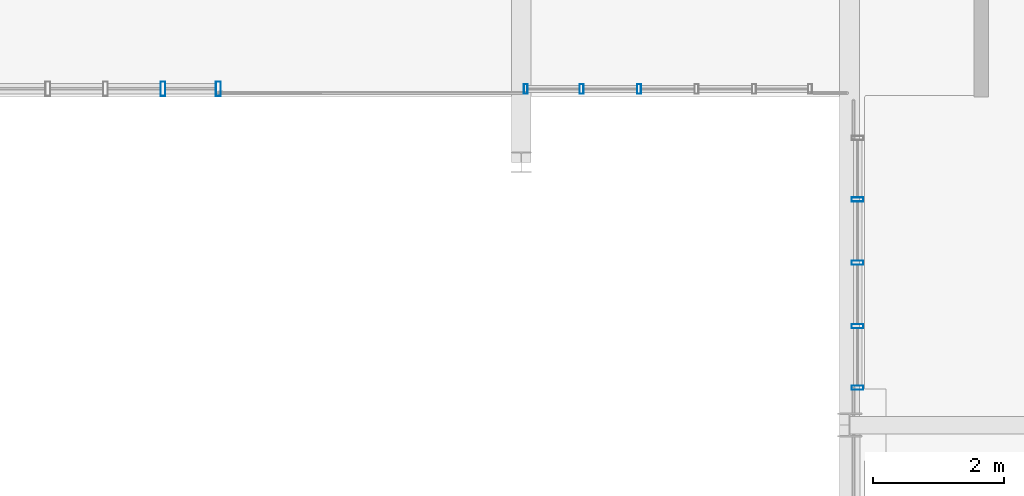
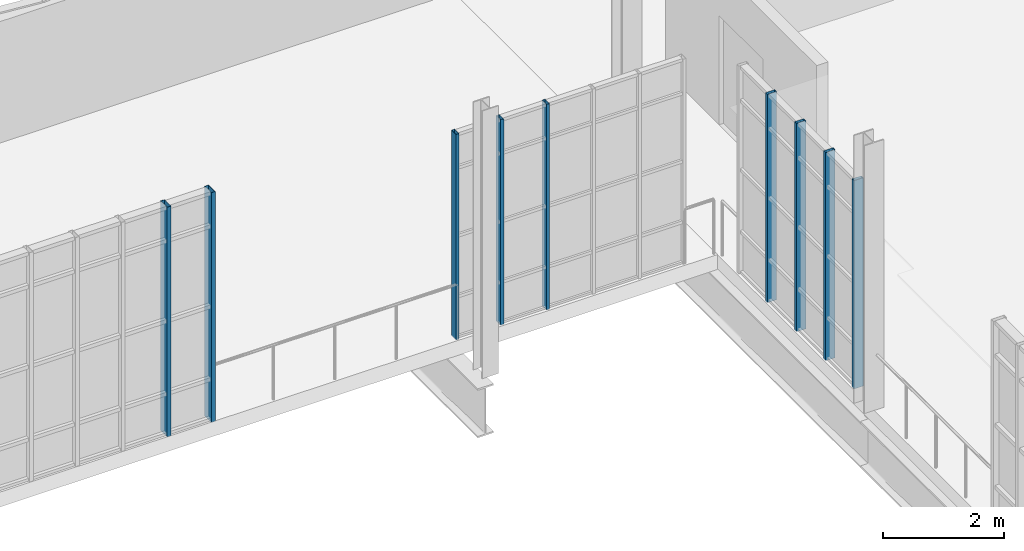
# One storey, part 31 of 142: 9 members, 3 elements without a shape of their own.
"""IFC4 building model written with IfcOpenShell, lengths in metres."""

from ifc_helpers import new_model, si_unit, direction, frame, origin, origin_2d, place, context, subcontext, project, spatial, hollow_rectangle, extrude, material, layer, layer_set, material_profile, profile_set, type_object, element, aggregate, save


model = new_model("IFC4")

# Units and contexts
model_context = context("Model", 3, precision=1e-05, world=origin(), true_north=direction((0.0, 1.0)))
body_context = subcontext(model_context, "Body", "Model", "MODEL_VIEW")
ifc_project = project(units=[si_unit("LENGTHUNIT", "METRE"), si_unit("AREAUNIT", "SQUARE_METRE"), si_unit("VOLUMEUNIT", "CUBIC_METRE"), si_unit("PLANEANGLEUNIT", "RADIAN"), si_unit("MASSUNIT", "GRAM", prefix="KILO"), si_unit("THERMODYNAMICTEMPERATUREUNIT", "KELVIN"), si_unit("POWERUNIT", "WATT")], contexts=[model_context])

# Site, building, storey
site_placement = place(None, origin())
site = spatial("IfcSite", under=ifc_project, at=site_placement, CompositionType="ELEMENT")
building_placement = place(site_placement, origin())
building = spatial("IfcBuilding", under=site, at=building_placement, Name="Zelmaris Science Centre", CompositionType="ELEMENT")
storey_placement = place(building_placement, frame((0.0, 0.0, 5.39990234375)))
storey = spatial("IfcBuildingStorey", under=building, at=storey_placement, Name="L01", CompositionType="ELEMENT", Elevation=5.39990234375)

# Curtain wall, members
ifc_material = material(Name="Anodised architectural aluminium 6063-T6", Category="aluminium")
ifc_layer_1 = layer(ifc_material, 0.219970703125, Name="Anodised architectural aluminium 6063-T6")
ifc_layer_set_1 = layer_set([ifc_layer_1], Name="Anodised architectural aluminium 6063-T6")
curtain_wall_type_1 = type_object("IfcCurtainWallType", Name="Curtain Wall CW-04", PredefinedType="USERDEFINED", material=ifc_layer_set_1)
curtain_wall_1_placement = place(storey_placement, origin())
curtain_wall_1 = element("IfcCurtainWall", 1, at=curtain_wall_1_placement, inside=storey, type_object=curtain_wall_type_1, Name="L01 Unitised curtain wall 172", ObjectType="GLAZED CURTAIN WALL", PredefinedType="USERDEFINED")
ifc_material_profile_1 = material_profile(ifc_material, hollow_rectangle(XDim=0.06005859375, YDim=0.14990234375, WallThickness=0.00341796875, at=origin_2d()), Name="ALU-MUL-60X150")
ifc_profile_set_1 = profile_set([ifc_material_profile_1], Name="Anodised architectural aluminium 6063-T6")
member_type_1 = type_object("IfcMemberType", Name="ALU-MUL-60X150", PredefinedType="MULLION", material=ifc_profile_set_1)
member_1_placement = place(storey_placement, frame((104.79443359375, 21.116455078125, -0.014892578125), z_axis=(0.0, 0.0, 1.0), x_axis=(-0.999999948434, 0.000321140577, 0.0)))
member_1 = element("IfcMember", 2, at=member_1_placement, type_object=member_type_1, Name="CW-04 mullion 4", PredefinedType="MULLION", context=body_context, shape_type="SweptSolid", body=[
    extrude(hollow_rectangle(XDim=0.06005859375, YDim=0.14990234375, WallThickness=0.00341796875, at=origin_2d()), origin(), (0.0, 0.0, 1.0), 4.14794921875),
])
member_2_placement = place(storey_placement, frame((103.918212890625, 21.11669921875, -0.014892578125), z_axis=(0.0, 0.0, 1.0), x_axis=(-0.999999948434, 0.000321140577, 0.0)))
member_2 = element("IfcMember", 3, at=member_2_placement, type_object=member_type_1, Name="CW-04 mullion 5", PredefinedType="MULLION", context=body_context, shape_type="SweptSolid", body=[
    extrude(hollow_rectangle(XDim=0.06005859375, YDim=0.14990234375, WallThickness=0.00341796875, at=origin_2d()), origin(), (0.0, 0.0, 1.0), 4.14794921875),
])
member_3_placement = place(storey_placement, frame((103.068115234375, 21.116943359375, -0.014892578125), z_axis=(0.0, 0.0, 1.0), x_axis=(-0.999999948434, 0.000321140577, 0.0)))
member_3 = element("IfcMember", 4, at=member_3_placement, type_object=member_type_1, Name="CW-04 mullion 6", PredefinedType="MULLION", context=body_context, shape_type="SweptSolid", body=[
    extrude(hollow_rectangle(XDim=0.06005859375, YDim=0.14990234375, WallThickness=0.00341796875, at=origin_2d()), origin(), (0.0, 0.0, 1.0), 4.14794921875),
])
aggregate(curtain_wall_1, [member_1, member_2, member_3])

ifc_layer_2 = layer(ifc_material, 0.2099609375, Name="Anodised architectural aluminium 6063-T6")
ifc_layer_set_2 = layer_set([ifc_layer_2], Name="Anodised architectural aluminium 6063-T6")
curtain_wall_type_2 = type_object("IfcCurtainWallType", Name="Curtain Wall CW-03", PredefinedType="USERDEFINED", material=ifc_layer_set_2)
curtain_wall_2_placement = place(storey_placement, origin())
curtain_wall_2 = element("IfcCurtainWall", 5, at=curtain_wall_2_placement, inside=storey, type_object=curtain_wall_type_2, Name="L01 Unitised curtain wall 171", ObjectType="GLAZED CURTAIN WALL", PredefinedType="USERDEFINED")
ifc_material_profile_2 = material_profile(ifc_material, hollow_rectangle(XDim=0.06494140625, YDim=0.179931640625, WallThickness=0.00390625, at=origin_2d()), Name="ALU-MUL-65X180")
ifc_profile_set_2 = profile_set([ifc_material_profile_2], Name="Anodised architectural aluminium 6063-T6")
member_type_2 = type_object("IfcMemberType", Name="ALU-MUL-65X180", PredefinedType="MULLION", material=ifc_profile_set_2)
member_4_placement = place(storey_placement, frame((108.1201171875, 16.568603515625, -0.014892578125), z_axis=(0.0, 0.0, 1.0), x_axis=(-5.235988e-06, 0.999999999986, 0.0)))
member_4 = element("IfcMember", 6, at=member_4_placement, type_object=member_type_2, Name="CW-03 mullion 1", PredefinedType="MULLION", context=body_context, shape_type="SweptSolid", body=[
    extrude(hollow_rectangle(XDim=0.06494140625, YDim=0.179931640625, WallThickness=0.00390625, at=origin_2d()), origin(), (0.0, 0.0, 1.0), 4.200927734375),
])
member_5_placement = place(storey_placement, frame((108.1201171875, 17.5048828125, -0.014892578125), z_axis=(0.0, 0.0, 1.0), x_axis=(-5.235988e-06, 0.999999999986, 0.0)))
member_5 = element("IfcMember", 7, at=member_5_placement, type_object=member_type_2, Name="CW-03 mullion 2", PredefinedType="MULLION", context=body_context, shape_type="SweptSolid", body=[
    extrude(hollow_rectangle(XDim=0.06494140625, YDim=0.179931640625, WallThickness=0.00390625, at=origin_2d()), origin(), (0.0, 0.0, 1.0), 4.200927734375),
])
member_6_placement = place(storey_placement, frame((108.1201171875, 18.469970703125, -0.014892578125), z_axis=(0.0, 0.0, 1.0), x_axis=(-5.235988e-06, 0.999999999986, 0.0)))
member_6 = element("IfcMember", 8, at=member_6_placement, type_object=member_type_2, Name="CW-03 mullion 3", PredefinedType="MULLION", context=body_context, shape_type="SweptSolid", body=[
    extrude(hollow_rectangle(XDim=0.06494140625, YDim=0.179931640625, WallThickness=0.00390625, at=origin_2d()), origin(), (0.0, 0.0, 1.0), 4.200927734375),
])
member_7_placement = place(storey_placement, frame((108.1201171875, 19.43505859375, -0.014892578125), z_axis=(0.0, 0.0, 1.0), x_axis=(-5.235988e-06, 0.999999999986, 0.0)))
member_7 = element("IfcMember", 9, at=member_7_placement, type_object=member_type_2, Name="CW-03 mullion 4", PredefinedType="MULLION", context=body_context, shape_type="SweptSolid", body=[
    extrude(hollow_rectangle(XDim=0.06494140625, YDim=0.179931640625, WallThickness=0.00390625, at=origin_2d()), origin(), (0.0, 0.0, 1.0), 4.200927734375),
])
aggregate(curtain_wall_2, [member_4, member_5, member_6, member_7])

ifc_layer_3 = layer(ifc_material, 0.199951171875, Name="Anodised architectural aluminium 6063-T6")
ifc_layer_set_3 = layer_set([ifc_layer_3], Name="Anodised architectural aluminium 6063-T6")
curtain_wall_type_3 = type_object("IfcCurtainWallType", Name="Curtain Wall CW-02", PredefinedType="USERDEFINED", material=ifc_layer_set_3)
curtain_wall_3_placement = place(storey_placement, origin())
curtain_wall_3 = element("IfcCurtainWall", 10, at=curtain_wall_3_placement, inside=storey, type_object=curtain_wall_type_3, Name="L01 Unitised curtain wall 174", ObjectType="GLAZED CURTAIN WALL", PredefinedType="USERDEFINED")
ifc_material_profile_3 = material_profile(ifc_material, hollow_rectangle(XDim=0.074951171875, YDim=0.219970703125, WallThickness=0.0048828125, at=origin_2d()), Name="ALU-MUL-75X220")
ifc_profile_set_3 = profile_set([ifc_material_profile_3], Name="Anodised architectural aluminium 6063-T6")
member_type_3 = type_object("IfcMemberType", Name="ALU-MUL-75X220", PredefinedType="MULLION", material=ifc_profile_set_3)
member_8_placement = place(storey_placement, frame((98.387451171875, 21.118408203125, -0.014892578125), z_axis=(0.0, 0.0, 1.0), x_axis=(-0.999999948434, 0.000321140577, 0.0)))
member_8 = element("IfcMember", 11, at=member_8_placement, type_object=member_type_3, Name="CW-02 mullion 1", PredefinedType="MULLION", context=body_context, shape_type="SweptSolid", body=[
    extrude(hollow_rectangle(XDim=0.074951171875, YDim=0.219970703125, WallThickness=0.0048828125, at=origin_2d()), origin(), (0.0, 0.0, 1.0), 4.635009765625),
])
member_9_placement = place(storey_placement, frame((97.544921875, 21.118896484375, -0.014892578125), z_axis=(0.0, 0.0, 1.0), x_axis=(-0.999999948434, 0.000321140577, 0.0)))
member_9 = element("IfcMember", 12, at=member_9_placement, type_object=member_type_3, Name="CW-02 mullion 2", PredefinedType="MULLION", context=body_context, shape_type="SweptSolid", body=[
    extrude(hollow_rectangle(XDim=0.074951171875, YDim=0.219970703125, WallThickness=0.0048828125, at=origin_2d()), origin(), (0.0, 0.0, 1.0), 4.635009765625),
])
aggregate(curtain_wall_3, [member_8, member_9])

save(model, "model.ifc")
